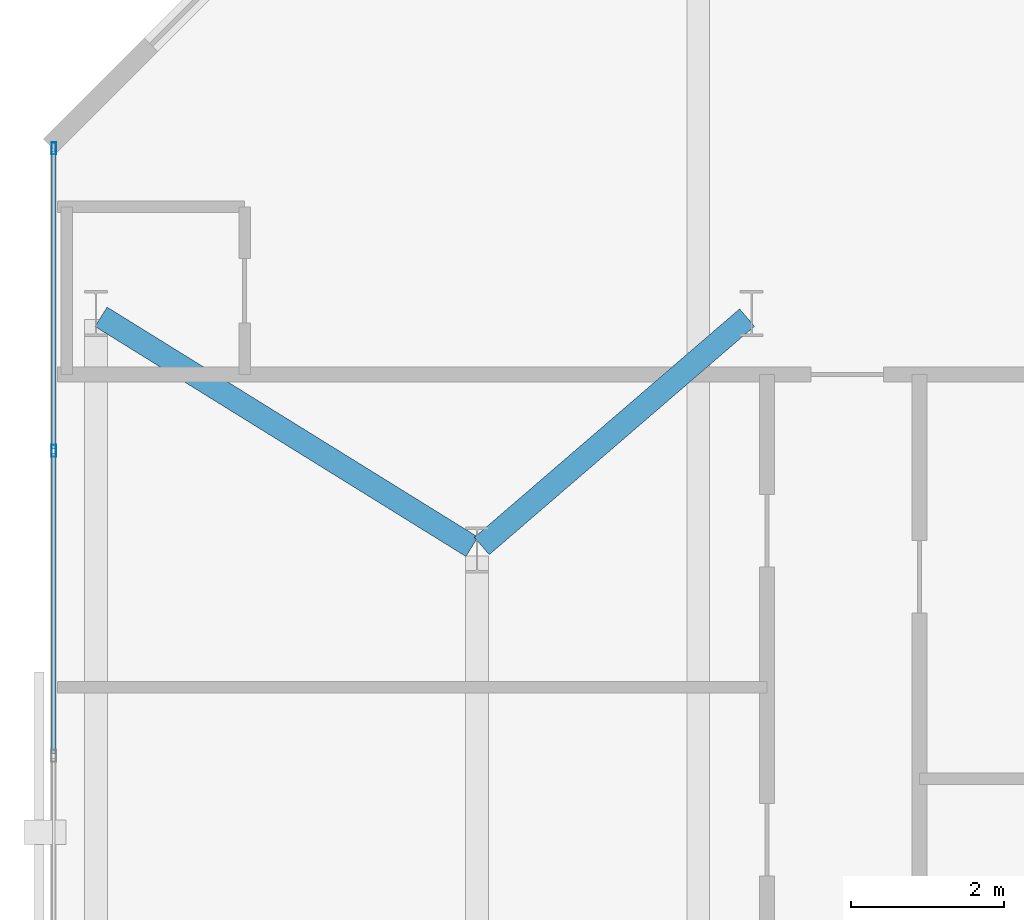
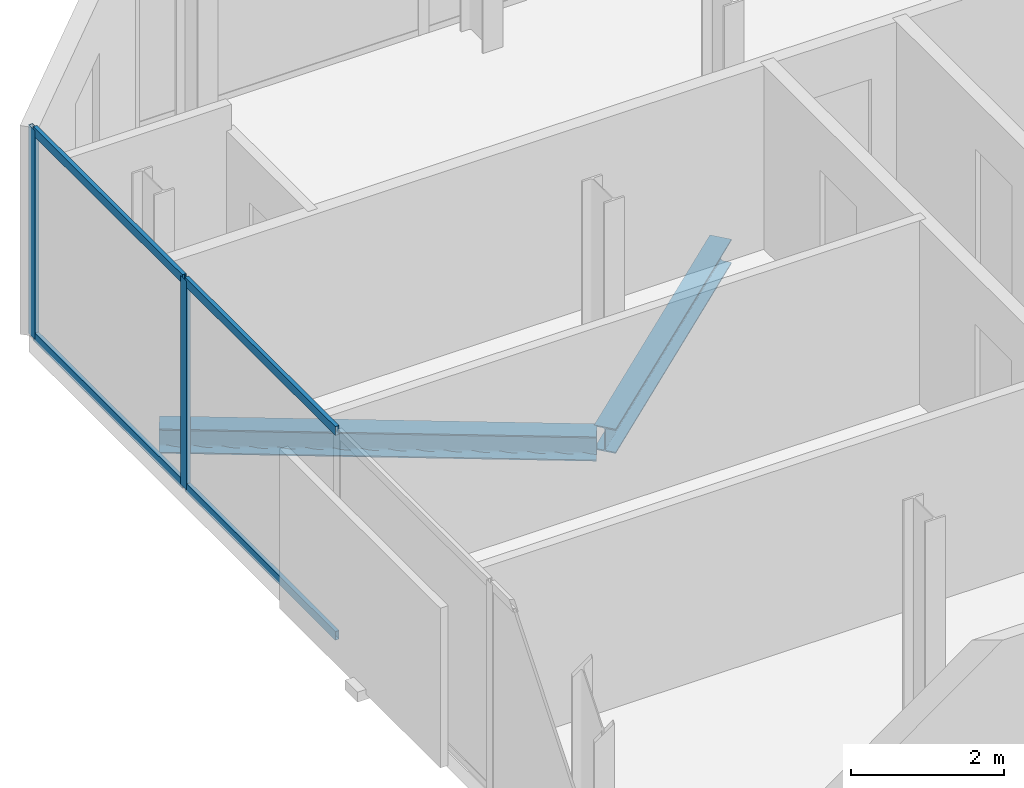
# One storey, part 17 of 32: 6 members, 2 beams, 1 element without a shape of its own.
"""IFC4 building model written with IfcOpenShell, lengths in metres."""

from ifc_helpers import new_model, si_unit, direction, frame, origin, origin_2d, place, context, subcontext, project, spatial, hollow_rectangle, i_section, extrude, material, layer, layer_set, material_profile, profile_set, type_object, element, aggregate, save


model = new_model("IFC4")

# Units and contexts
model_context = context("Model", 3, precision=1e-05, world=origin(), true_north=direction((0.0, 1.0)))
body_context = subcontext(model_context, "Body", "Model", "MODEL_VIEW")
ifc_project = project(units=[si_unit("LENGTHUNIT", "METRE"), si_unit("AREAUNIT", "SQUARE_METRE"), si_unit("VOLUMEUNIT", "CUBIC_METRE"), si_unit("PLANEANGLEUNIT", "RADIAN"), si_unit("MASSUNIT", "GRAM", prefix="KILO")], contexts=[model_context])

# Site, building, storey
site_placement = place(None, origin())
site = spatial("IfcSite", under=ifc_project, at=site_placement, CompositionType="ELEMENT")
building_placement = place(site_placement, origin())
building = spatial("IfcBuilding", under=site, at=building_placement, Name="Catumbela Crestline Tower", CompositionType="ELEMENT")
storey_placement = place(building_placement, frame((0.0, 0.0, 136.8)))
storey = spatial("IfcBuildingStorey", under=building, at=storey_placement, Name="L35", CompositionType="ELEMENT", Elevation=136.8)

# Beams
ifc_material_1 = material(Name="Structural steel S355J2", Category="steel")
ifc_material_profile_1 = material_profile(ifc_material_1, i_section(OverallWidth=0.3, OverallDepth=0.39, WebThickness=0.011, FlangeThickness=0.019, FilletRadius=0.027, at=origin_2d()), Name="HEA 400")
ifc_profile_set_1 = profile_set([ifc_material_profile_1], Name="Structural steel S355J2")
beam_type = type_object("IfcBeamType", Name="BG-HEA400", PredefinedType="BEAM", material=ifc_profile_set_1)
beam_1_placement = place(storey_placement, frame((0.668, 42.2578, -0.455), z_axis=(0.849908952007, -0.526929571479, 0.0), x_axis=(0.526929571479, 0.849908952007, 0.0)))
element("IfcBeam", 1, at=beam_1_placement, inside=storey, type_object=beam_type, Name="L35 Beam BM-L35-N12", PredefinedType="BEAM", context=body_context, shape_type="SweptSolid", body=[
    extrude(i_section(OverallWidth=0.3, OverallDepth=0.39, WebThickness=0.011, FlangeThickness=0.019, FilletRadius=0.027, at=origin_2d()), origin(), (0.0, 0.0, 1.0), 5.723),
])
beam_2_placement = place(storey_placement, frame((5.6606, 39.2522, -0.455), z_axis=(0.757772392559, 0.652518966066, 0.0), x_axis=(-0.652518966066, 0.757772392559, 0.0)))
element("IfcBeam", 2, at=beam_2_placement, inside=storey, type_object=beam_type, Name="L35 Beam BM-L35-N13", PredefinedType="BEAM", context=body_context, shape_type="SweptSolid", body=[
    extrude(i_section(OverallWidth=0.3, OverallDepth=0.39, WebThickness=0.011, FlangeThickness=0.019, FilletRadius=0.027, at=origin_2d()), origin(), (0.0, 0.0, 1.0), 4.5908),
])

# Curtain wall, members
ifc_material_2 = material(Name="Aluminium alloy AW-6060-T66", Category="aluminium")
ifc_layer = layer(ifc_material_2, 0.18, Name="Aluminium alloy AW-6060-T66")
ifc_layer_set = layer_set([ifc_layer], Name="Aluminium alloy AW-6060-T66")
curtain_wall_type = type_object("IfcCurtainWallType", Name="CWU-Z2", PredefinedType="USERDEFINED", material=ifc_layer_set)
curtain_wall_placement = place(storey_placement, origin())
curtain_wall = element("IfcCurtainWall", 3, at=curtain_wall_placement, inside=storey, type_object=curtain_wall_type, Name="L35 Unitised Curtain Wall CW-L35-E9S1", ObjectType="UNITISED", PredefinedType="USERDEFINED")
ifc_material_profile_2 = material_profile(ifc_material_2, hollow_rectangle(XDim=0.06, YDim=0.16, WallThickness=0.004, at=origin_2d()), Name="ALU 160x60x4")
ifc_profile_set_2 = profile_set([ifc_material_profile_2], Name="Aluminium alloy AW-6060-T66")
member_type_1 = type_object("IfcMemberType", Name="MUL-160X60", PredefinedType="MULLION", material=ifc_profile_set_2)
member_1_placement = place(storey_placement, frame((0.05, 44.4675, 0.0), z_axis=(0.0, 0.0, 1.0), x_axis=(1.0, 0.0, 0.0)))
member_1 = element("IfcMember", 4, at=member_1_placement, type_object=member_type_1, Name="CWU-Z2 mullion 1", PredefinedType="MULLION", context=body_context, shape_type="SweptSolid", body=[
    extrude(hollow_rectangle(XDim=0.06, YDim=0.16, WallThickness=0.004, at=origin_2d()), origin(), (0.0, 0.0, 1.0), 3.33),
])
member_2_placement = place(storey_placement, frame((0.05, 40.5, 0.0), z_axis=(0.0, 0.0, 1.0), x_axis=(1.0, 0.0, 0.0)))
member_2 = element("IfcMember", 5, at=member_2_placement, type_object=member_type_1, Name="CWU-Z2 mullion 2", PredefinedType="MULLION", context=body_context, shape_type="SweptSolid", body=[
    extrude(hollow_rectangle(XDim=0.06, YDim=0.16, WallThickness=0.004, at=origin_2d()), origin(), (0.0, 0.0, 1.0), 3.33),
])
ifc_material_profile_3 = material_profile(ifc_material_2, hollow_rectangle(XDim=0.06, YDim=0.14, WallThickness=0.004, at=origin_2d()), Name="ALU 140x60x4")
ifc_profile_set_3 = profile_set([ifc_material_profile_3], Name="Aluminium alloy AW-6060-T66")
member_type_2 = type_object("IfcMemberType", Name="TRN-140X60", PredefinedType="USERDEFINED", material=ifc_profile_set_3)
member_3_placement = place(storey_placement, frame((0.05, 44.435, 0.03), z_axis=(0.0, -1.0, 0.0), x_axis=(1.0, 0.0, 0.0)))
member_3 = element("IfcMember", 6, at=member_3_placement, type_object=member_type_2, Name="CWU-Z2 transom 1.1", ObjectType="TRANSOM", PredefinedType="USERDEFINED", context=body_context, shape_type="SweptSolid", body=[
    extrude(hollow_rectangle(XDim=0.06, YDim=0.14, WallThickness=0.004, at=origin_2d()), origin(), (0.0, 0.0, 1.0), 3.9025),
])
member_4_placement = place(storey_placement, frame((0.05, 44.435, 3.3), z_axis=(0.0, -1.0, 0.0), x_axis=(1.0, 0.0, 0.0)))
member_4 = element("IfcMember", 7, at=member_4_placement, type_object=member_type_2, Name="CWU-Z2 transom 1.2", ObjectType="TRANSOM", PredefinedType="USERDEFINED", context=body_context, shape_type="SweptSolid", body=[
    extrude(hollow_rectangle(XDim=0.06, YDim=0.14, WallThickness=0.004, at=origin_2d()), origin(), (0.0, 0.0, 1.0), 3.9025),
])
member_5_placement = place(storey_placement, frame((0.05, 40.4675, 0.03), z_axis=(0.0, -1.0, 0.0), x_axis=(1.0, 0.0, 0.0)))
member_5 = element("IfcMember", 8, at=member_5_placement, type_object=member_type_2, Name="CWU-Z2 transom 2.1", ObjectType="TRANSOM", PredefinedType="USERDEFINED", context=body_context, shape_type="SweptSolid", body=[
    extrude(hollow_rectangle(XDim=0.06, YDim=0.14, WallThickness=0.004, at=origin_2d()), origin(), (0.0, 0.0, 1.0), 3.935),
])
member_6_placement = place(storey_placement, frame((0.05, 40.4675, 3.3), z_axis=(0.0, -1.0, 0.0), x_axis=(1.0, 0.0, 0.0)))
member_6 = element("IfcMember", 9, at=member_6_placement, type_object=member_type_2, Name="CWU-Z2 transom 2.2", ObjectType="TRANSOM", PredefinedType="USERDEFINED", context=body_context, shape_type="SweptSolid", body=[
    extrude(hollow_rectangle(XDim=0.06, YDim=0.14, WallThickness=0.004, at=origin_2d()), origin(), (0.0, 0.0, 1.0), 3.935),
])
aggregate(curtain_wall, [member_1, member_2, member_3, member_4, member_5, member_6])

save(model, "model.ifc")
